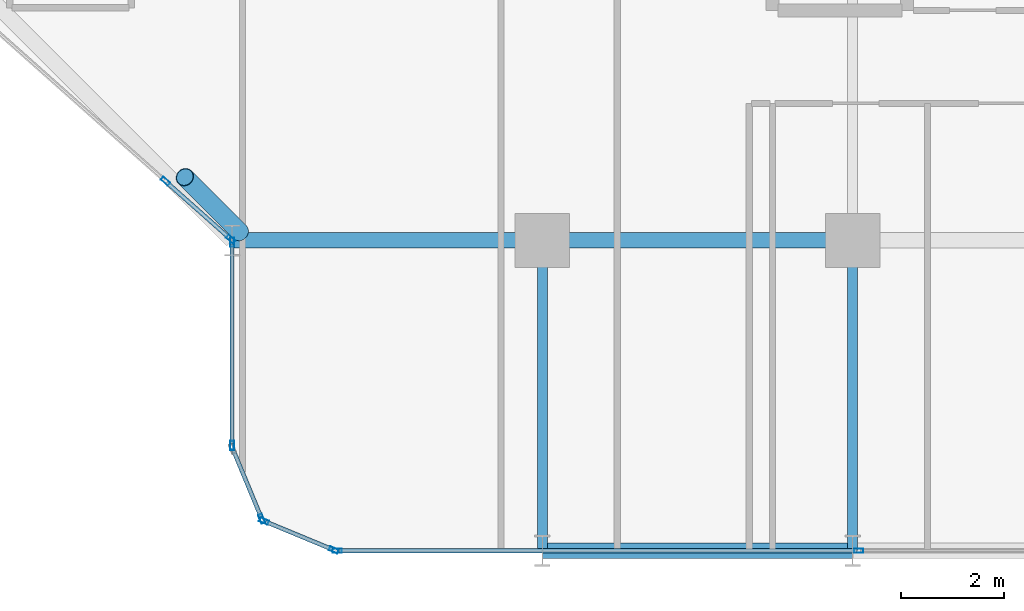
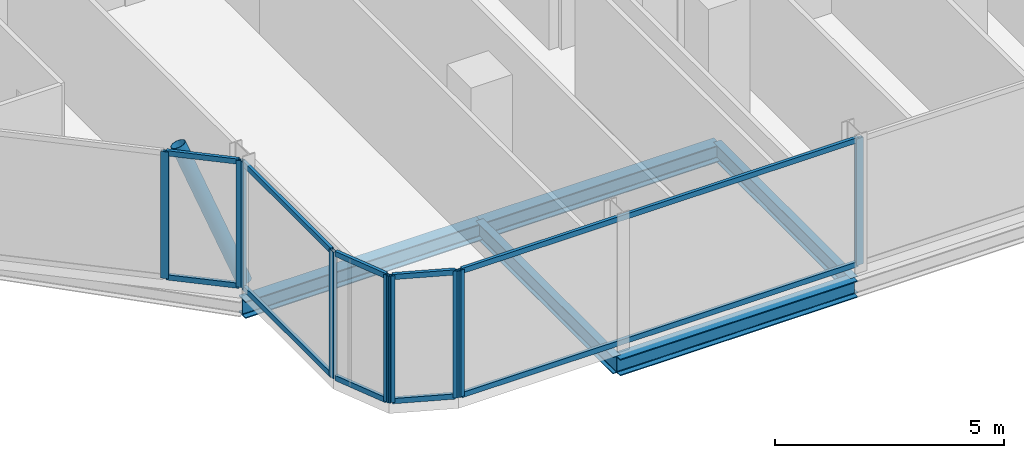
# One storey, part 4 of 29: 20 members, 5 beams, 5 elements without a shape of their own.
"""IFC4 building model written with IfcOpenShell, lengths in metres."""

from ifc_helpers import new_model, si_unit, direction, frame, origin, origin_2d, place, context, subcontext, project, spatial, hollow_rectangle, hollow_circle, i_section, extrude, material, layer, layer_set, material_profile, profile_set, type_object, element, aggregate, save


model = new_model("IFC4")

# Units and contexts
model_context = context("Model", 3, precision=1e-05, world=origin(), true_north=direction((0.0, 1.0)))
body_context = subcontext(model_context, "Body", "Model", "MODEL_VIEW")
ifc_project = project(units=[si_unit("LENGTHUNIT", "METRE"), si_unit("AREAUNIT", "SQUARE_METRE"), si_unit("VOLUMEUNIT", "CUBIC_METRE"), si_unit("PLANEANGLEUNIT", "RADIAN"), si_unit("MASSUNIT", "GRAM", prefix="KILO")], contexts=[model_context])

# Site, building, storey
site_placement = place(None, origin())
site = spatial("IfcSite", under=ifc_project, at=site_placement, CompositionType="ELEMENT")
building_placement = place(site_placement, origin())
building = spatial("IfcBuilding", under=site, at=building_placement, Name="Keshet Zoharim Tower", CompositionType="ELEMENT")
storey_placement = place(building_placement, frame((0.0, 0.0, 105.699951171875)))
storey = spatial("IfcBuildingStorey", under=building, at=storey_placement, Name="L25", CompositionType="ELEMENT", Elevation=105.699951171875)

# Beams
ifc_material_1 = material(Name="Steel S355", Category="steel")
ifc_material_profile_1 = material_profile(ifc_material_1, i_section(OverallWidth=0.18994140625, OverallDepth=0.449951171875, WebThickness=0.009521484375, FlangeThickness=0.0146484375, FilletRadius=0.02099609375, at=origin_2d()), Name="IPE450")
ifc_profile_set_1 = profile_set([ifc_material_profile_1], Name="Steel S355")
beam_type_1 = type_object("IfcBeamType", Name="BM-PRI-IP450", PredefinedType="BEAM", material=ifc_profile_set_1)
for number, where, z_axis, x_axis, name in (
    (1, (27.0, 0.699951171875, -0.5400390625), (0.0, 1.0, 0.0), (-1.0, 0.0, 0.0), "L25 Primary Girder Y-004"),
    (2, (33.0, 0.699951171875, -0.5400390625), (0.0, 1.0, 0.0), (-1.0, 0.0, 0.0), "L25 Primary Girder Y-005"),
):
    element("IfcBeam", number, at=place(storey_placement, frame(where, z_axis=z_axis, x_axis=x_axis)), inside=storey, type_object=beam_type_1, Name=name, PredefinedType="BEAM", context=body_context, shape_type="SweptSolid", body=[
        extrude(i_section(OverallWidth=0.18994140625, OverallDepth=0.449951171875, WebThickness=0.009521484375, FlangeThickness=0.0146484375, FilletRadius=0.02099609375, at=origin_2d()), origin(), (0.0, 0.0, 1.0), 6.0),
    ])
ifc_material_profile_2 = material_profile(ifc_material_1, i_section(OverallWidth=0.300048828125, OverallDepth=0.449951171875, WebThickness=0.013916015625, FlangeThickness=0.02587890625, FilletRadius=0.027099609375, at=origin_2d()), Name="HEB450")
ifc_profile_set_2 = profile_set([ifc_material_profile_2], Name="Steel S355")
beam_type_2 = type_object("IfcBeamType", Name="BM-WEB-HB450", PredefinedType="BEAM", material=ifc_profile_set_2)
for number, where, z_axis, x_axis, name in (
    (3, (27.0, 0.699951171875, -0.5400390625), (1.0, 0.0, 0.0), (0.0, 1.0, 0.0), "L25 Primary Girder X-001"),
    (4, (21.0, 6.699951171875, -0.5400390625), (1.0, 0.0, 0.0), (0.0, 1.0, 0.0), "L25 Primary Girder X-005"),
    (5, (27.0, 6.699951171875, -0.5400390625), (1.0, 0.0, 0.0), (0.0, 1.0, 0.0), "L25 Primary Girder X-006"),
):
    element("IfcBeam", number, at=place(storey_placement, frame(where, z_axis=z_axis, x_axis=x_axis)), inside=storey, type_object=beam_type_2, Name=name, PredefinedType="BEAM", context=body_context, shape_type="SweptSolid", body=[
        extrude(i_section(OverallWidth=0.300048828125, OverallDepth=0.449951171875, WebThickness=0.013916015625, FlangeThickness=0.02587890625, FilletRadius=0.027099609375, at=origin_2d()), origin(), (0.0, 0.0, 1.0), 6.0),
    ])

# Curtain wall, members
ifc_material_2 = material(Name="Aluminium 6063-T6", Category="aluminium")
ifc_layer = layer(ifc_material_2, 0.159912109375)
ifc_layer_set = layer_set([ifc_layer], Name="Aluminium 6063-T6")
curtain_wall_type = type_object("IfcCurtainWallType", Name="CW-SYS-03", PredefinedType="NOTDEFINED", material=ifc_layer_set)
curtain_wall_1_placement = place(storey_placement, origin())
curtain_wall_1 = element("IfcCurtainWall", 6, at=curtain_wall_1_placement, inside=storey, type_object=curtain_wall_type, Name="L25 Unitised Curtain Wall 03 Part 3", PredefinedType="NOTDEFINED")
ifc_material_profile_3 = material_profile(ifc_material_2, hollow_rectangle(XDim=0.080078125, YDim=0.179931640625, WallThickness=0.00439453125, at=origin_2d()), Name="MUL-80x180")
ifc_profile_set_3 = profile_set([ifc_material_profile_3], Name="Aluminium 6063-T6")
member_type_1 = type_object("IfcMemberType", Name="CWM-M18", PredefinedType="MULLION", material=ifc_profile_set_3)
member_1_placement = place(storey_placement, frame((33.11865234375, 0.699951171875, 0.0), z_axis=(0.0, 0.0, 1.0), x_axis=(0.0, -1.0, 0.0)))
member_1 = element("IfcMember", 7, at=member_1_placement, type_object=member_type_1, Name="CW-03 mullion 2", PredefinedType="MULLION", context=body_context, shape_type="SweptSolid", body=[
    extrude(hollow_rectangle(XDim=0.080078125, YDim=0.179931640625, WallThickness=0.00439453125, at=origin_2d()), origin(), (0.0, 0.0, 1.0), 3.385009765625),
])
member_2_placement = place(storey_placement, frame((23.034912109375, 0.699951171875, 0.0), z_axis=(0.0, 0.0, 1.0), x_axis=(0.0, -1.0, 0.0)))
member_2 = element("IfcMember", 8, at=member_2_placement, type_object=member_type_1, Name="CW-03 mullion 3", PredefinedType="MULLION", context=body_context, shape_type="SweptSolid", body=[
    extrude(hollow_rectangle(XDim=0.080078125, YDim=0.179931640625, WallThickness=0.00439453125, at=origin_2d()), origin(), (0.0, 0.0, 1.0), 3.385009765625),
])

curtain_wall_2_placement = place(storey_placement, origin())
curtain_wall_2 = element("IfcCurtainWall", 9, at=curtain_wall_2_placement, inside=storey, type_object=curtain_wall_type, Name="L25 Unitised Curtain Wall 04", PredefinedType="NOTDEFINED")
member_3_placement = place(storey_placement, frame((22.9677734375, 0.71337890625, 0.0), z_axis=(0.0, 0.0, 1.0), x_axis=(-0.382851849847, -0.92380975372, 0.0)))
member_3 = element("IfcMember", 10, at=member_3_placement, type_object=member_type_1, Name="CW-03 mullion 1", PredefinedType="MULLION", context=body_context, shape_type="SweptSolid", body=[
    extrude(hollow_rectangle(XDim=0.080078125, YDim=0.179931640625, WallThickness=0.00439453125, at=origin_2d()), origin(), (0.0, 0.0, 1.0), 3.385009765625),
])
member_4_placement = place(storey_placement, frame((21.618408203125, 1.272705078125, 0.0), z_axis=(0.0, 0.0, 1.0), x_axis=(-0.382851849847, -0.92380975372, 0.0)))
member_4 = element("IfcMember", 11, at=member_4_placement, type_object=member_type_1, Name="CW-03 mullion 2", PredefinedType="MULLION", context=body_context, shape_type="SweptSolid", body=[
    extrude(hollow_rectangle(XDim=0.080078125, YDim=0.179931640625, WallThickness=0.00439453125, at=origin_2d()), origin(), (0.0, 0.0, 1.0), 3.385009765625),
])

# Curtain wall, member
curtain_wall_3_placement = place(storey_placement, origin())
curtain_wall_3 = element("IfcCurtainWall", 12, at=curtain_wall_3_placement, inside=storey, type_object=curtain_wall_type, Name="L25 Unitised Curtain Wall 05", PredefinedType="NOTDEFINED")
member_5_placement = place(storey_placement, frame((21.572509765625, 1.318359375, 0.0), z_axis=(0.0, 0.0, 1.0), x_axis=(-0.92380975372, -0.382851849847, 0.0)))
member_5 = element("IfcMember", 13, at=member_5_placement, type_object=member_type_1, Name="CW-03 mullion 1", PredefinedType="MULLION", context=body_context, shape_type="SweptSolid", body=[
    extrude(hollow_rectangle(XDim=0.080078125, YDim=0.179931640625, WallThickness=0.00439453125, at=origin_2d()), origin(), (0.0, 0.0, 1.0), 3.385009765625),
])

# Curtain wall, members
curtain_wall_4_placement = place(storey_placement, origin())
curtain_wall_4 = element("IfcCurtainWall", 14, at=curtain_wall_4_placement, inside=storey, type_object=curtain_wall_type, Name="L25 Unitised Curtain Wall 06", PredefinedType="NOTDEFINED")
member_6_placement = place(storey_placement, frame((21.0, 2.735107421875, 0.0), z_axis=(0.0, 0.0, 1.0), x_axis=(-1.0, 0.0, 0.0)))
member_6 = element("IfcMember", 15, at=member_6_placement, type_object=member_type_1, Name="CW-03 mullion 1", PredefinedType="MULLION", context=body_context, shape_type="SweptSolid", body=[
    extrude(hollow_rectangle(XDim=0.080078125, YDim=0.179931640625, WallThickness=0.00439453125, at=origin_2d()), origin(), (0.0, 0.0, 1.0), 3.385009765625),
])
member_7_placement = place(storey_placement, frame((21.0, 6.6650390625, 0.0), z_axis=(0.0, 0.0, 1.0), x_axis=(-1.0, 0.0, 0.0)))
member_7 = element("IfcMember", 16, at=member_7_placement, type_object=member_type_1, Name="CW-03 mullion 2", PredefinedType="MULLION", context=body_context, shape_type="SweptSolid", body=[
    extrude(hollow_rectangle(XDim=0.080078125, YDim=0.179931640625, WallThickness=0.00439453125, at=origin_2d()), origin(), (0.0, 0.0, 1.0), 3.385009765625),
])

curtain_wall_5_placement = place(storey_placement, origin())
curtain_wall_5 = element("IfcCurtainWall", 17, at=curtain_wall_5_placement, inside=storey, type_object=curtain_wall_type, Name="L25 Unitised Curtain Wall 07", PredefinedType="NOTDEFINED")
member_8_placement = place(storey_placement, frame((20.973876953125, 6.72314453125, 0.0), z_axis=(0.0, 0.0, 1.0), x_axis=(-0.664360312857, -0.747412452867, 0.0)))
member_8 = element("IfcMember", 18, at=member_8_placement, type_object=member_type_1, Name="CW-03 mullion 1", PredefinedType="MULLION", context=body_context, shape_type="SweptSolid", body=[
    extrude(hollow_rectangle(XDim=0.080078125, YDim=0.179931640625, WallThickness=0.00439453125, at=origin_2d()), origin(), (0.0, 0.0, 1.0), 3.385009765625),
])
member_9_placement = place(storey_placement, frame((19.71044921875, 7.84619140625, 0.0), z_axis=(0.0, 0.0, 1.0), x_axis=(-0.664360312857, -0.747412452867, 0.0)))
member_9 = element("IfcMember", 19, at=member_9_placement, type_object=member_type_1, Name="CW-03 mullion 2", PredefinedType="MULLION", context=body_context, shape_type="SweptSolid", body=[
    extrude(hollow_rectangle(XDim=0.080078125, YDim=0.179931640625, WallThickness=0.00439453125, at=origin_2d()), origin(), (0.0, 0.0, 1.0), 3.385009765625),
])

# Member
ifc_material_profile_4 = material_profile(ifc_material_2, hollow_rectangle(XDim=0.080078125, YDim=0.139892578125, WallThickness=0.00390625, at=origin_2d()), Name="TRN-80x140")
ifc_profile_set_4 = profile_set([ifc_material_profile_4], Name="Aluminium 6063-T6")
member_type_2 = type_object("IfcMemberType", Name="CWT-T14", PredefinedType="USERDEFINED", material=ifc_profile_set_4)
member_10_placement = place(storey_placement, frame((33.083740234375, 0.699951171875, 0.03515625), z_axis=(-1.0, 0.0, 0.0), x_axis=(0.0, -1.0, 0.0)))
member_10 = element("IfcMember", 20, at=member_10_placement, type_object=member_type_2, Name="CW-03 transom 2.1", ObjectType="TRANSOM", PredefinedType="USERDEFINED", context=body_context, shape_type="SweptSolid", body=[
    extrude(hollow_rectangle(XDim=0.080078125, YDim=0.139892578125, WallThickness=0.00390625, at=origin_2d()), origin(), (0.0, 0.0, 1.0), 10.013671875),
])

member_11_placement = place(storey_placement, frame((33.083740234375, 0.699951171875, 3.35009765625), z_axis=(-1.0, 0.0, 0.0), x_axis=(0.0, -1.0, 0.0)))
member_11 = element("IfcMember", 21, at=member_11_placement, type_object=member_type_2, Name="CW-03 transom 2.2", ObjectType="TRANSOM", PredefinedType="USERDEFINED", context=body_context, shape_type="SweptSolid", body=[
    extrude(hollow_rectangle(XDim=0.080078125, YDim=0.139892578125, WallThickness=0.00390625, at=origin_2d()), origin(), (0.0, 0.0, 1.0), 10.013671875),
])

aggregate(curtain_wall_1, [member_1, member_2, member_10, member_11])

member_12_placement = place(storey_placement, frame((22.935302734375, 0.726806640625, 0.03515625), z_axis=(-0.92379209995, 0.382894445076, 0.0), x_axis=(-0.382894445076, -0.92379209995, 0.0)))
member_12 = element("IfcMember", 22, at=member_12_placement, type_object=member_type_2, Name="CW-03 transom 1.1", ObjectType="TRANSOM", PredefinedType="USERDEFINED", context=body_context, shape_type="SweptSolid", body=[
    extrude(hollow_rectangle(XDim=0.080078125, YDim=0.139892578125, WallThickness=0.00390625, at=origin_2d()), origin(), (0.0, 0.0, 1.0), 1.390625),
])

member_13_placement = place(storey_placement, frame((22.935302734375, 0.726806640625, 3.35009765625), z_axis=(-0.92379209995, 0.382894445076, 0.0), x_axis=(-0.382894445076, -0.92379209995, 0.0)))
member_13 = element("IfcMember", 23, at=member_13_placement, type_object=member_type_2, Name="CW-03 transom 1.2", ObjectType="TRANSOM", PredefinedType="USERDEFINED", context=body_context, shape_type="SweptSolid", body=[
    extrude(hollow_rectangle(XDim=0.080078125, YDim=0.139892578125, WallThickness=0.00390625, at=origin_2d()), origin(), (0.0, 0.0, 1.0), 1.390625),
])

aggregate(curtain_wall_2, [member_3, member_4, member_12, member_13])

member_14_placement = place(storey_placement, frame((21.55908203125, 1.3505859375, 0.03515625), z_axis=(-0.382744609247, 0.923854189844, 0.0), x_axis=(-0.923854189844, -0.382744609247, 0.0)))
member_14 = element("IfcMember", 24, at=member_14_placement, type_object=member_type_2, Name="CW-03 transom 1.1", ObjectType="TRANSOM", PredefinedType="USERDEFINED", context=body_context, shape_type="SweptSolid", body=[
    extrude(hollow_rectangle(XDim=0.080078125, YDim=0.139892578125, WallThickness=0.00390625, at=origin_2d()), origin(), (0.0, 0.0, 1.0), 1.390625),
])

member_15_placement = place(storey_placement, frame((21.55908203125, 1.3505859375, 3.35009765625), z_axis=(-0.382744609247, 0.923854189844, 0.0), x_axis=(-0.923854189844, -0.382744609247, 0.0)))
member_15 = element("IfcMember", 25, at=member_15_placement, type_object=member_type_2, Name="CW-03 transom 1.2", ObjectType="TRANSOM", PredefinedType="USERDEFINED", context=body_context, shape_type="SweptSolid", body=[
    extrude(hollow_rectangle(XDim=0.080078125, YDim=0.139892578125, WallThickness=0.00390625, at=origin_2d()), origin(), (0.0, 0.0, 1.0), 1.390625),
])

aggregate(curtain_wall_3, [member_5, member_14, member_15])

member_16_placement = place(storey_placement, frame((21.0, 2.77001953125, 0.03515625), z_axis=(0.0, 1.0, 0.0), x_axis=(-1.0, 0.0, 0.0)))
member_16 = element("IfcMember", 26, at=member_16_placement, type_object=member_type_2, Name="CW-03 transom 1.1", ObjectType="TRANSOM", PredefinedType="USERDEFINED", context=body_context, shape_type="SweptSolid", body=[
    extrude(hollow_rectangle(XDim=0.080078125, YDim=0.139892578125, WallThickness=0.00390625, at=origin_2d()), origin(), (0.0, 0.0, 1.0), 3.85986328125),
])

member_17_placement = place(storey_placement, frame((21.0, 2.77001953125, 3.35009765625), z_axis=(0.0, 1.0, 0.0), x_axis=(-1.0, 0.0, 0.0)))
member_17 = element("IfcMember", 27, at=member_17_placement, type_object=member_type_2, Name="CW-03 transom 1.2", ObjectType="TRANSOM", PredefinedType="USERDEFINED", context=body_context, shape_type="SweptSolid", body=[
    extrude(hollow_rectangle(XDim=0.080078125, YDim=0.139892578125, WallThickness=0.00390625, at=origin_2d()), origin(), (0.0, 0.0, 1.0), 3.85986328125),
])

aggregate(curtain_wall_4, [member_6, member_7, member_16, member_17])

member_18_placement = place(storey_placement, frame((20.94775390625, 6.74658203125, 0.03515625), z_axis=(-0.747467505114, 0.664298373322, 0.0), x_axis=(-0.664298373322, -0.747467505114, 0.0)))
member_18 = element("IfcMember", 28, at=member_18_placement, type_object=member_type_2, Name="CW-03 transom 1.1", ObjectType="TRANSOM", PredefinedType="USERDEFINED", context=body_context, shape_type="SweptSolid", body=[
    extrude(hollow_rectangle(XDim=0.080078125, YDim=0.139892578125, WallThickness=0.00390625, at=origin_2d()), origin(), (0.0, 0.0, 1.0), 1.620361328125),
])

member_19_placement = place(storey_placement, frame((20.94775390625, 6.74658203125, 3.35009765625), z_axis=(-0.747467505114, 0.664298373322, 0.0), x_axis=(-0.664298373322, -0.747467505114, 0.0)))
member_19 = element("IfcMember", 29, at=member_19_placement, type_object=member_type_2, Name="CW-03 transom 1.2", ObjectType="TRANSOM", PredefinedType="USERDEFINED", context=body_context, shape_type="SweptSolid", body=[
    extrude(hollow_rectangle(XDim=0.080078125, YDim=0.139892578125, WallThickness=0.00390625, at=origin_2d()), origin(), (0.0, 0.0, 1.0), 1.620361328125),
])

aggregate(curtain_wall_5, [member_8, member_9, member_18, member_19])

ifc_material_profile_5 = material_profile(ifc_material_1, hollow_circle(Radius=0.177734375, WallThickness=0.012451171875, at=origin_2d()), Name="CHS355x12.5")
ifc_profile_set_5 = profile_set([ifc_material_profile_5], Name="Steel S355")
member_type_3 = type_object("IfcMemberType", Name="MB-BR-C355", PredefinedType="BRACE", material=ifc_profile_set_5)
member_20_placement = place(storey_placement, frame((21.14599609375, 6.864013671875, 0.0), z_axis=(-0.286558246199, 0.286558246199, 0.914203884848), x_axis=(-0.707106781187, -0.707106781187, 0.0)))
element("IfcMember", 30, at=member_20_placement, inside=storey, type_object=member_type_3, Name="L25 Perimeter Tube Brace 01", PredefinedType="BRACE", context=body_context, shape_type="SweptSolid", body=[
    extrude(hollow_circle(Radius=0.177734375, WallThickness=0.012451171875, at=origin_2d()), origin(), (0.0, 0.0, 1.0), 3.70263671875),
])

save(model, "model.ifc")
